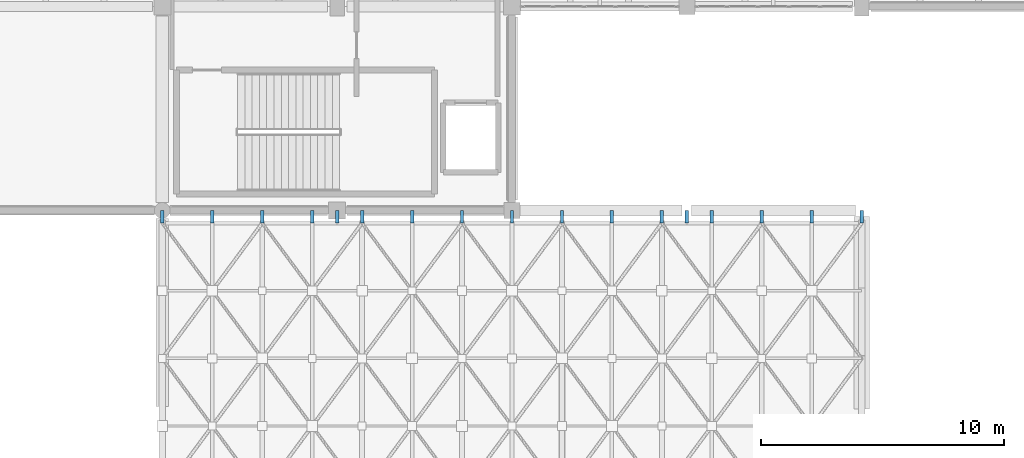
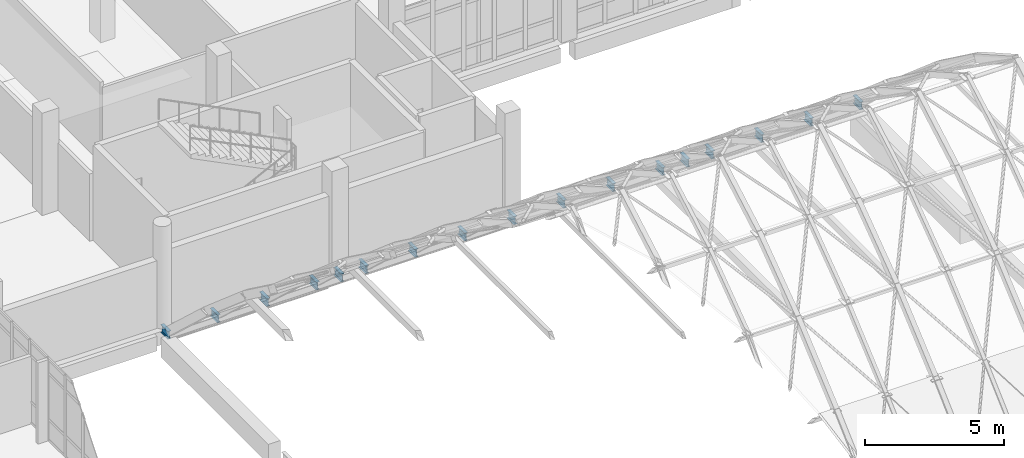
# One storey, part 58 of 87: 17 beams.
"""IFC4 building model written with IfcOpenShell, lengths in metres."""

from ifc_helpers import new_model, si_unit, direction, frame, origin, origin_2d, place, context, subcontext, project, spatial, i_section, extrude, material, material_profile, profile_set, type_object, element, save


model = new_model("IFC4")

# Units and contexts
model_context = context("Model", 3, precision=1e-05, world=origin(), true_north=direction((0.0, 1.0)))
body_context = subcontext(model_context, "Body", "Model", "MODEL_VIEW")
ifc_project = project(units=[si_unit("LENGTHUNIT", "METRE"), si_unit("AREAUNIT", "SQUARE_METRE"), si_unit("VOLUMEUNIT", "CUBIC_METRE"), si_unit("PLANEANGLEUNIT", "RADIAN"), si_unit("MASSUNIT", "GRAM", prefix="KILO")], contexts=[model_context])

# Site, building, storey
site_placement = place(None, origin())
site = spatial("IfcSite", under=ifc_project, at=site_placement, CompositionType="ELEMENT")
building_placement = place(site_placement, origin())
building = spatial("IfcBuilding", under=site, at=building_placement, Name="Kalluvel Institute of Natural Sciences", CompositionType="ELEMENT")
storey_placement = place(building_placement, frame((0.0, 0.0, 18.89990234375)))
storey = spatial("IfcBuildingStorey", under=building, at=storey_placement, Name="L04", CompositionType="ELEMENT", Elevation=18.89990234375)

# Beams
ifc_material = material(Name="Steel E350 Grade 350", Category="steel")
ifc_material_profile = material_profile(ifc_material, i_section(OverallWidth=0.139892578125, OverallDepth=0.35009765625, WebThickness=0.008056640625, FlangeThickness=0.01416015625, FilletRadius=0.013916015625, at=origin_2d()), Name="ISMB 350")
ifc_profile_set = profile_set([ifc_material_profile], Name="Steel E350 Grade 350")
beam_type = type_object("IfcBeamType", Name="BM-ISMB350", PredefinedType="BEAM", material=ifc_profile_set)
for number, where, z_axis, x_axis, name in (
    (1, (50.0, 93.8798828125, -0.1748046875), (0.0, 1.0, 0.0), (-1.0, 0.0, 0.0), "Atrium gridshell north column bracket 1"),
    (2, (64.39990234375, 93.8798828125, -0.1748046875), (0.0, 1.0, 0.0), (-1.0, 0.0, 0.0), "Atrium gridshell north column bracket 2"),
    (3, (42.800048828125, 93.8798828125, -0.1748046875), (0.0, 1.0, 0.0), (-1.0, 0.0, 0.0), "Atrium gridshell north ring-beam arch shoe 1"),
    (4, (44.857177734375, 93.8798828125, -0.1748046875), (0.0, 1.0, 0.0), (-1.0, 0.0, 0.0), "Atrium gridshell north ring-beam arch shoe 2"),
    (5, (46.914306640625, 93.8798828125, -0.1748046875), (0.0, 1.0, 0.0), (-1.0, 0.0, 0.0), "Atrium gridshell north ring-beam arch shoe 3"),
    (6, (48.971435546875, 93.8798828125, -0.1748046875), (0.0, 1.0, 0.0), (-1.0, 0.0, 0.0), "Atrium gridshell north ring-beam arch shoe 4"),
    (7, (51.028564453125, 93.8798828125, -0.1748046875), (0.0, 1.0, 0.0), (-1.0, 0.0, 0.0), "Atrium gridshell north ring-beam arch shoe 5"),
    (8, (53.085693359375, 93.8798828125, -0.1748046875), (0.0, 1.0, 0.0), (-1.0, 0.0, 0.0), "Atrium gridshell north ring-beam arch shoe 6"),
    (9, (55.142822265625, 93.8798828125, -0.1748046875), (0.0, 1.0, 0.0), (-1.0, 0.0, 0.0), "Atrium gridshell north ring-beam arch shoe 7"),
    (10, (57.199951171875, 93.8798828125, -0.1748046875), (0.0, 1.0, 0.0), (-1.0, 0.0, 0.0), "Atrium gridshell north ring-beam arch shoe 8"),
    (11, (59.257080078125, 93.8798828125, -0.1748046875), (0.0, 1.0, 0.0), (-1.0, 0.0, 0.0), "Atrium gridshell north ring-beam arch shoe 9"),
    (12, (61.314208984375, 93.8798828125, -0.1748046875), (0.0, 1.0, 0.0), (-1.0, 0.0, 0.0), "Atrium gridshell north ring-beam arch shoe 10"),
    (13, (63.371337890625, 93.8798828125, -0.1748046875), (0.0, 1.0, 0.0), (-1.0, 0.0, 0.0), "Atrium gridshell north ring-beam arch shoe 11"),
    (14, (65.4287109375, 93.8798828125, -0.1748046875), (0.0, 1.0, 0.0), (-1.0, 0.0, 0.0), "Atrium gridshell north ring-beam arch shoe 12"),
    (15, (67.485595703125, 93.8798828125, -0.1748046875), (0.0, 1.0, 0.0), (-1.0, 0.0, 0.0), "Atrium gridshell north ring-beam arch shoe 13"),
    (16, (69.54296875, 93.8798828125, -0.1748046875), (0.0, 1.0, 0.0), (-1.0, 0.0, 0.0), "Atrium gridshell north ring-beam arch shoe 14"),
    (17, (71.60009765625, 93.8798828125, -0.1748046875), (0.0, 1.0, 0.0), (-1.0, 0.0, 0.0), "Atrium gridshell north ring-beam arch shoe 15"),
):
    element("IfcBeam", number, at=place(storey_placement, frame(where, z_axis=z_axis, x_axis=x_axis)), inside=storey, type_object=beam_type, Name=name, PredefinedType="BEAM", context=body_context, shape_type="SweptSolid", body=[
        extrude(i_section(OverallWidth=0.139892578125, OverallDepth=0.35009765625, WebThickness=0.008056640625, FlangeThickness=0.01416015625, FilletRadius=0.013916015625, at=origin_2d()), origin(), (0.0, 0.0, 1.0), 0.52001953125),
    ])

save(model, "model.ifc")
